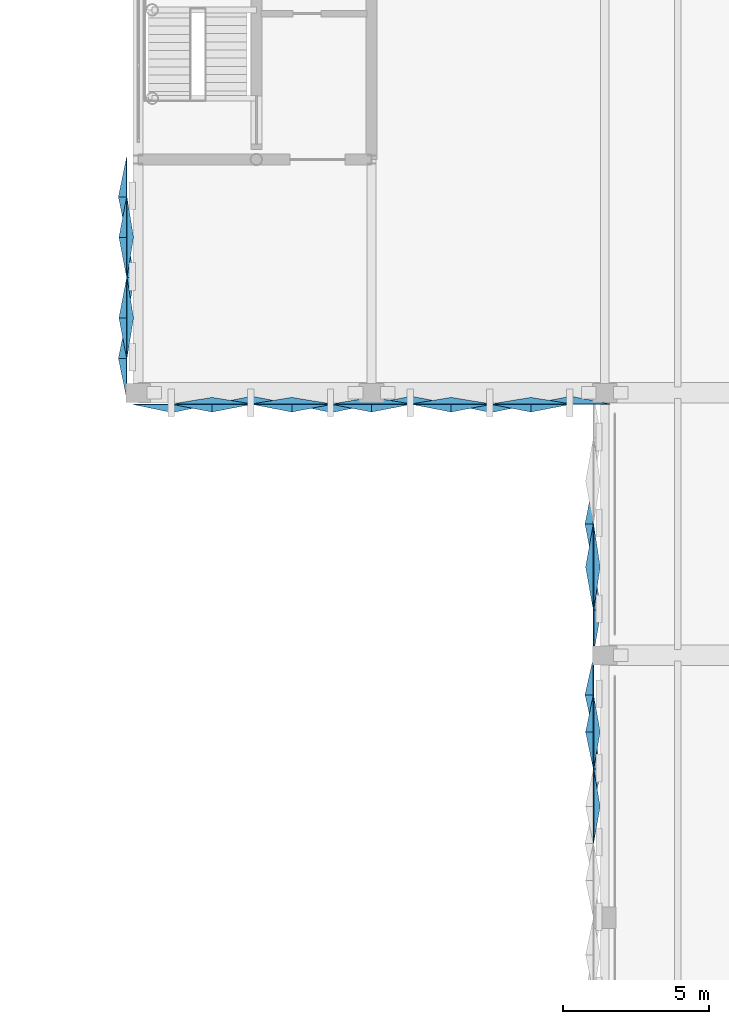
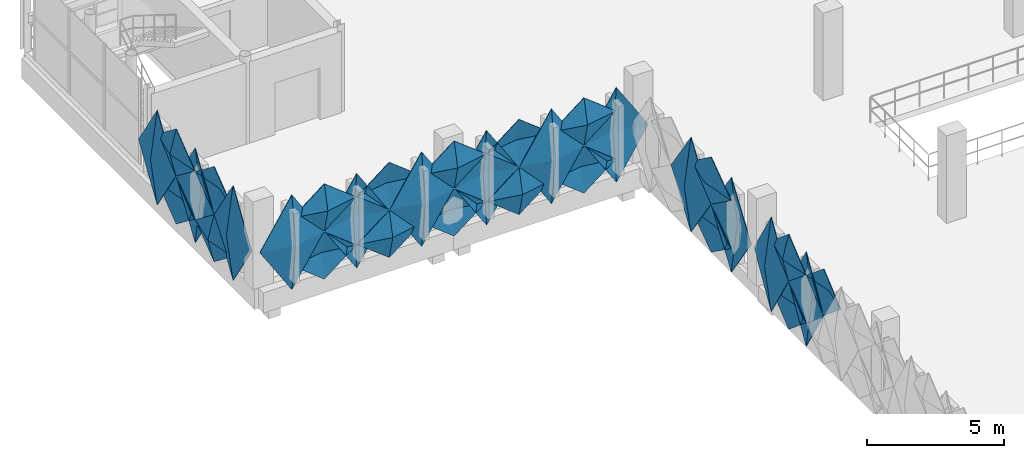
# One storey, part 55 of 83: 32 plates.
"""IFC4 building model written with IfcOpenShell, lengths in metres."""

import ifcopenshell
import ifcopenshell.guid

model = None  # the IFC model being written
_history = None  # IfcOwnerHistory: only IFC2X3 demands one
_inside = {}  # id of a spatial element -> (the spatial element, [elements in it])
_under = {}  # id of a project, library or spatial element -> (it, [spatial elements below it])
_declared = {}  # id of a project -> (the project, [libraries it declares])
_typed = {}  # id of a type object -> (the type object, [elements of that type])
_made_of = {}  # id of a material, layer set ... -> (it, [elements and type objects made of it])


def new_model(schema):
    """Start an empty IFC model of exactly this schema.

    Asked for "IFC4X3", IfcOpenShell would pick the latest addendum, in which some entities
    have other attributes; the version numbers below select the first issue.
    IFC2X3 requires an IfcOwnerHistory on every rooted entity: one is made here for all.
    """
    global model, _history
    if schema == "IFC4X3":
        model = ifcopenshell.file(schema_version=(4, 3, 0, 0))
    else:
        model = ifcopenshell.file(schema=schema)
    _inside.clear()
    _under.clear()
    _declared.clear()
    _typed.clear()
    _made_of.clear()
    _history = None
    if model.schema == "IFC2X3":
        org = make("IfcOrganization", Name="unknown")
        user = make(
            "IfcPersonAndOrganization",
            ThePerson=make("IfcPerson", FamilyName="unknown"),
            TheOrganization=org,
        )
        app = make(
            "IfcApplication",
            ApplicationDeveloper=org,
            Version="unknown",
            ApplicationFullName="unknown",
            ApplicationIdentifier="unknown",
        )
        _history = make(
            "IfcOwnerHistory",
            OwningUser=user,
            OwningApplication=app,
            ChangeAction="ADDED",
            CreationDate=0,
        )
    return model


def make(cls, **values):
    """One entity of the class cls with the attributes given. An attribute that is None is left unset."""
    return model.create_entity(
        cls, **{name: value for name, value in values.items() if value is not None}
    )


def rooted(cls, **values):
    """An entity with a GlobalId (a new one), such as an element, a storey or a relation."""
    return make(cls, GlobalId=ifcopenshell.guid.new(), OwnerHistory=_history, **values)


def si_unit(unit_type, name, prefix=None):
    """IfcSIUnit, for example si_unit("LENGTHUNIT", "METRE", prefix="MILLI")."""
    return make("IfcSIUnit", UnitType=unit_type, Prefix=prefix, Name=name)


def derived_unit(unit_type, elements):
    """IfcDerivedUnit: a product of units, each with its exponent."""
    return make(
        "IfcDerivedUnit",
        Elements=[
            make("IfcDerivedUnitElement", Unit=unit, Exponent=power)
            for unit, power in elements
        ],
        UnitType=unit_type,
    )


def assignment(units):
    """IfcUnitAssignment: the units of a project."""
    return None if units is None else make("IfcUnitAssignment", Units=units)


def point(xyz):
    """IfcCartesianPoint."""
    return None if xyz is None else make("IfcCartesianPoint", Coordinates=xyz)


def direction(xyz):
    """IfcDirection."""
    return None if xyz is None else make("IfcDirection", DirectionRatios=xyz)


def frame(location, z_axis=None, x_axis=None):
    """IfcAxis2Placement3D, a coordinate frame: its origin and axes. An axis left out is left unset."""
    return make(
        "IfcAxis2Placement3D",
        Location=point(location),
        Axis=direction(z_axis),
        RefDirection=direction(x_axis),
    )


def origin():
    """The frame at (0, 0, 0) with its axes left unset."""
    return frame((0.0, 0.0, 0.0))


def place(relative_to, where):
    """IfcLocalPlacement: puts the frame where relative to a parent placement (None: the world)."""
    return make(
        "IfcLocalPlacement", PlacementRelTo=relative_to, RelativePlacement=where
    )


def context(
    kind, dimensions, precision=None, world=None, true_north=None, identifier=None
):
    """IfcGeometricRepresentationContext, for example the 3D "Model" context."""
    return make(
        "IfcGeometricRepresentationContext",
        ContextIdentifier=identifier,
        ContextType=kind,
        CoordinateSpaceDimension=dimensions,
        Precision=precision,
        WorldCoordinateSystem=world,
        TrueNorth=true_north,
    )


def subcontext(parent, identifier, kind, view, scale=None):
    """IfcGeometricRepresentationSubContext, for example "Body" below "Model"."""
    return make(
        "IfcGeometricRepresentationSubContext",
        ContextIdentifier=identifier,
        ContextType=kind,
        ParentContext=parent,
        TargetScale=scale,
        TargetView=view,
    )


def project(units=None, contexts=None):
    """IfcProject with its units and contexts."""
    return rooted(
        "IfcProject",
        Name="project",
        RepresentationContexts=contexts,
        UnitsInContext=assignment(units),
    )


def spatial(cls, under=None, at=None, **own):
    """A site, building, storey or space (cls), placed at a placement, below another one or the project."""
    s = rooted(cls, ObjectPlacement=at, **own)
    if under is not None:
        _under.setdefault(under.id(), (under, []))[1].append(s)
    return s


def point_list(points):
    """IfcCartesianPointList2D or 3D."""
    cls = (
        "IfcCartesianPointList2D" if len(points[0]) == 2 else "IfcCartesianPointList3D"
    )
    return make(cls, CoordList=points)


def polygons(points, faces, closed=None, point_numbers=None):
    """IfcPolygonalFaceSet: a face is its outer loop, then its inner loops; points numbered from 1."""
    made = []
    for loops in faces:
        if len(loops) == 1:
            made.append(make("IfcIndexedPolygonalFace", CoordIndex=loops[0]))
        else:
            made.append(
                make(
                    "IfcIndexedPolygonalFaceWithVoids",
                    CoordIndex=loops[0],
                    InnerCoordIndices=loops[1:],
                )
            )
    return make(
        "IfcPolygonalFaceSet",
        Coordinates=point_list(points),
        Closed=closed,
        Faces=made,
        PnIndex=point_numbers,
    )


def shape(context_of_items, identifier, shape_type, items):
    """IfcShapeRepresentation: the items that make up one representation, for example the "Body"."""
    return make(
        "IfcShapeRepresentation",
        ContextOfItems=context_of_items,
        RepresentationIdentifier=identifier,
        RepresentationType=shape_type,
        Items=items,
    )


def material(Name=None, Category=None):
    """IfcMaterial."""
    return make("IfcMaterial", Name=Name, Category=Category)


def layer(
    of_material, thickness, ventilated=None, Name=None, Category=None, Priority=None
):
    """IfcMaterialLayer: one layer of a wall or slab, of a material (None: an air gap)."""
    return make(
        "IfcMaterialLayer",
        Material=of_material,
        LayerThickness=thickness,
        IsVentilated=ventilated,
        Name=Name,
        Category=Category,
        Priority=Priority,
    )


def layer_set(layers, Name=None):
    """IfcMaterialLayerSet."""
    return make("IfcMaterialLayerSet", MaterialLayers=layers, LayerSetName=Name)


def made_of(thing, what):
    """Note that an element or type object is made of a material, layer set ...; save() writes the relation."""
    if what is not None:
        _made_of.setdefault(what.id(), (what, []))[1].append(thing)
    return thing


def type_object(cls, material=None, **own):
    """A type object (cls), such as IfcWallType, which elements share."""
    return made_of(rooted(cls, **own), material)


def element(
    cls,
    number,
    at=None,
    inside=None,
    cuts=None,
    type_object=None,
    material=None,
    context=None,
    identifier="Body",
    shape_type=None,
    held_by="IfcProductDefinitionShape",
    body=None,
    shapes=None,
    **own,
):
    """One element of the class cls, such as IfcWall. Its Tag is "e" and its number.

    at: its placement. inside: the storey or other place that contains it. cuts: it is an
    opening in that element (IfcRelVoidsElement). A single representation is given by context,
    identifier, shape_type and body (its items); several are given by shapes. held_by: the class
    of the entity that holds the representations. save() writes the other relations.
    """
    e = rooted(cls, Tag="e%d" % number, ObjectPlacement=at, **own)
    if body is not None:
        shapes = [shape(context, identifier, shape_type, body)]
    if shapes is not None:
        e.Representation = make(held_by, Representations=shapes)
    if inside is not None:
        _inside.setdefault(inside.id(), (inside, []))[1].append(e)
    if cuts is not None:
        rooted(
            "IfcRelVoidsElement", RelatingBuildingElement=cuts, RelatedOpeningElement=e
        )
    if type_object is not None:
        _typed.setdefault(type_object.id(), (type_object, []))[1].append(e)
    return made_of(e, material)


def aggregate(whole, parts):
    """IfcRelAggregates: a whole, such as a stair, and the parts it consists of."""
    return rooted("IfcRelAggregates", RelatingObject=whole, RelatedObjects=parts)


def save(model, path):
    """Write the relations noted so far, then the file.

    IfcRelAggregates (storeys below a building ...), IfcRelContainedInSpatialStructure (elements
    in a storey), IfcRelDefinesByType, IfcRelAssociatesMaterial and IfcRelDeclares: one each for
    every whole, place, type object, material and project.
    """
    for whole, parts in _under.values():
        aggregate(whole, parts)
    for where, things in _inside.values():
        rooted(
            "IfcRelContainedInSpatialStructure",
            RelatedElements=things,
            RelatingStructure=where,
        )
    for kind, things in _typed.values():
        rooted("IfcRelDefinesByType", RelatedObjects=things, RelatingType=kind)
    for what, things in _made_of.values():
        rooted("IfcRelAssociatesMaterial", RelatedObjects=things, RelatingMaterial=what)
    for by, libraries in _declared.values():
        rooted("IfcRelDeclares", RelatingContext=by, RelatedDefinitions=libraries)
    model.write(path)


model = new_model("IFC4")

# Units and contexts
model_context = context("Model", 3, precision=1e-05, world=origin(), true_north=direction((0.0, 1.0)))
body_context = subcontext(model_context, "Body", "Model", "MODEL_VIEW")
ifc_project = project(units=[si_unit("LENGTHUNIT", "METRE"), si_unit("AREAUNIT", "SQUARE_METRE"), si_unit("VOLUMEUNIT", "CUBIC_METRE"), si_unit("PLANEANGLEUNIT", "RADIAN"), si_unit("MASSUNIT", "GRAM", prefix="KILO"), si_unit("THERMODYNAMICTEMPERATUREUNIT", "KELVIN"), derived_unit("THERMALTRANSMITTANCEUNIT", [(si_unit("POWERUNIT", "WATT"), 1), (si_unit("AREAUNIT", "SQUARE_METRE"), -1), (si_unit("THERMODYNAMICTEMPERATUREUNIT", "KELVIN"), -1)])], contexts=[model_context])

# Site, building, storey
site_placement = place(None, origin())
site = spatial("IfcSite", under=ifc_project, at=site_placement, CompositionType="ELEMENT")
building_placement = place(site_placement, origin())
building = spatial("IfcBuilding", under=site, at=building_placement, Name="Haiyu Intermodal Mobility Hub", CompositionType="ELEMENT")
storey_placement = place(building_placement, frame((0.0, 0.0, 13.39990234375)))
storey = spatial("IfcBuildingStorey", under=building, at=storey_placement, Name="L03", CompositionType="ELEMENT", Elevation=13.39990234375)

# Plates
ifc_material = material(Name="Anodised aluminium 6063-T6", Category="aluminium")
ifc_layer_1 = layer(ifc_material, 0.01806640625)
ifc_layer_set_1 = layer_set([ifc_layer_1], Name="Anodised aluminium 6063-T6")
plate_type_1 = type_object("IfcPlateType", Name="PLT-FC01", PredefinedType="USERDEFINED", material=ifc_layer_set_1)
plate_1_placement = place(storey_placement, origin())
element("IfcPlate", 1, at=plate_1_placement, inside=storey, type_object=plate_type_1, Name="PLT-PYR-0561", ObjectType="FACADE CASSETTE", PredefinedType="USERDEFINED", context=body_context, shape_type="Tessellation", body=[
    polygons([(37.60009765625, 119.37109375, 1.6201171875), (37.60009765625, 118.116943359375, 2.670166015625), (37.60009765625, 119.37109375, 3.72021484375), (37.60009765625, 120.6259765625, 2.670166015625), (37.340087890625, 119.37109375, 2.670166015625), (37.6220703125, 119.37109375, 1.6201171875), (37.6220703125, 118.116943359375, 2.670166015625), (37.6220703125, 119.37109375, 3.72021484375), (37.6220703125, 120.6259765625, 2.670166015625), (37.362060546875, 119.37109375, 2.670166015625)], [[[1, 2, 5]], [[2, 3, 5]], [[3, 4, 5]], [[4, 1, 5]], [[7, 6, 10]], [[8, 7, 10]], [[9, 8, 10]], [[6, 9, 10]], [[1, 6, 7, 2]], [[2, 7, 8, 3]], [[3, 8, 9, 4]], [[4, 9, 6, 1]]], closed=True),
])
plate_2_placement = place(storey_placement, origin())
element("IfcPlate", 2, at=plate_2_placement, inside=storey, type_object=plate_type_1, Name="PLT-PYR-0633", ObjectType="FACADE CASSETTE", PredefinedType="USERDEFINED", context=body_context, shape_type="Tessellation", body=[
    polygons([(37.60009765625, 126.5, -0.510009765625), (37.60009765625, 125.047119140625, 1.60009765625), (37.60009765625, 126.5, 3.710205078125), (37.60009765625, 127.952880859375, 1.60009765625), (37.320068359375, 126.5, 1.60009765625), (37.6220703125, 126.5, -0.510009765625), (37.6220703125, 125.047119140625, 1.60009765625), (37.6220703125, 126.5, 3.710205078125), (37.6220703125, 127.952880859375, 1.60009765625), (37.342041015625, 126.5, 1.60009765625)], [[[1, 2, 5]], [[2, 3, 5]], [[3, 4, 5]], [[4, 1, 5]], [[7, 6, 10]], [[8, 7, 10]], [[9, 8, 10]], [[6, 9, 10]], [[1, 6, 7, 2]], [[2, 7, 8, 3]], [[3, 8, 9, 4]], [[4, 9, 6, 1]]], closed=True),
])
plate_3_placement = place(storey_placement, origin())
element("IfcPlate", 3, at=plate_3_placement, inside=storey, type_object=plate_type_1, Name="PLT-PYR-0635", ObjectType="FACADE CASSETTE", PredefinedType="USERDEFINED", context=body_context, shape_type="Tessellation", body=[
    polygons([(37.60009765625, 125.027099609375, 1.6201171875), (37.60009765625, 123.572998046875, 2.670166015625), (37.60009765625, 125.027099609375, 3.72021484375), (37.60009765625, 126.47998046875, 2.670166015625), (37.340087890625, 125.027099609375, 2.670166015625), (37.6220703125, 125.027099609375, 1.6201171875), (37.6220703125, 123.572998046875, 2.670166015625), (37.6220703125, 125.027099609375, 3.72021484375), (37.6220703125, 126.47998046875, 2.670166015625), (37.362060546875, 125.027099609375, 2.670166015625)], [[[1, 2, 5]], [[2, 3, 5]], [[3, 4, 5]], [[4, 1, 5]], [[7, 6, 10]], [[8, 7, 10]], [[9, 8, 10]], [[6, 9, 10]], [[1, 6, 7, 2]], [[2, 7, 8, 3]], [[3, 8, 9, 4]], [[4, 9, 6, 1]]], closed=True),
])
plate_4_placement = place(storey_placement, origin())
element("IfcPlate", 4, at=plate_4_placement, inside=storey, type_object=plate_type_1, Name="PLT-PYR-2304", ObjectType="FACADE CASSETTE", PredefinedType="USERDEFINED", context=body_context, shape_type="Tessellation", body=[
    polygons([(21.60009765625, 136.3330078125, 1.6201171875), (21.60009765625, 134.969970703125, 2.670166015625), (21.60009765625, 136.3330078125, 3.72021484375), (21.60009765625, 137.697021484375, 2.670166015625), (21.340087890625, 136.3330078125, 2.670166015625), (21.6220703125, 136.3330078125, 1.6201171875), (21.6220703125, 134.969970703125, 2.670166015625), (21.6220703125, 136.3330078125, 3.72021484375), (21.6220703125, 137.697021484375, 2.670166015625), (21.362060546875, 136.3330078125, 2.670166015625)], [[[1, 2, 5]], [[2, 3, 5]], [[3, 4, 5]], [[4, 1, 5]], [[7, 6, 10]], [[8, 7, 10]], [[9, 8, 10]], [[6, 9, 10]], [[1, 6, 7, 2]], [[2, 7, 8, 3]], [[3, 8, 9, 4]], [[4, 9, 6, 1]]], closed=True),
])
plate_5_placement = place(storey_placement, origin())
element("IfcPlate", 5, at=plate_5_placement, inside=storey, type_object=plate_type_1, Name="PLT-PYR-2357", ObjectType="FACADE CASSETTE", PredefinedType="USERDEFINED", context=body_context, shape_type="Tessellation", body=[
    polygons([(24.532958984375, 130.60009765625, 1.6201171875), (25.8798828125, 130.60009765625, 2.670166015625), (24.532958984375, 130.60009765625, 3.72021484375), (23.18701171875, 130.60009765625, 2.670166015625), (24.532958984375, 130.340087890625, 2.670166015625), (24.532958984375, 130.6220703125, 1.6201171875), (25.8798828125, 130.6220703125, 2.670166015625), (24.532958984375, 130.6220703125, 3.72021484375), (23.18701171875, 130.6220703125, 2.670166015625), (24.532958984375, 130.362060546875, 2.670166015625)], [[[1, 2, 5]], [[2, 3, 5]], [[3, 4, 5]], [[4, 1, 5]], [[7, 6, 10]], [[8, 7, 10]], [[9, 8, 10]], [[6, 9, 10]], [[1, 6, 7, 2]], [[2, 7, 8, 3]], [[3, 8, 9, 4]], [[4, 9, 6, 1]]], closed=True),
])
plate_6_placement = place(storey_placement, origin())
element("IfcPlate", 6, at=plate_6_placement, inside=storey, type_object=plate_type_1, Name="PLT-PYR-2363", ObjectType="FACADE CASSETTE", PredefinedType="USERDEFINED", context=body_context, shape_type="Tessellation", body=[
    polygons([(30.0, 130.60009765625, 1.6201171875), (31.346923828125, 130.60009765625, 2.670166015625), (30.0, 130.60009765625, 3.72021484375), (28.653076171875, 130.60009765625, 2.670166015625), (30.0, 130.340087890625, 2.670166015625), (30.0, 130.6220703125, 1.6201171875), (31.346923828125, 130.6220703125, 2.670166015625), (30.0, 130.6220703125, 3.72021484375), (28.653076171875, 130.6220703125, 2.670166015625), (30.0, 130.362060546875, 2.670166015625)], [[[1, 2, 5]], [[2, 3, 5]], [[3, 4, 5]], [[4, 1, 5]], [[7, 6, 10]], [[8, 7, 10]], [[9, 8, 10]], [[6, 9, 10]], [[1, 6, 7, 2]], [[2, 7, 8, 3]], [[3, 8, 9, 4]], [[4, 9, 6, 1]]], closed=True),
])
plate_7_placement = place(storey_placement, origin())
element("IfcPlate", 7, at=plate_7_placement, inside=storey, type_object=plate_type_1, Name="PLT-PYR-2369", ObjectType="FACADE CASSETTE", PredefinedType="USERDEFINED", context=body_context, shape_type="Tessellation", body=[
    polygons([(35.467041015625, 130.60009765625, 1.6201171875), (36.81298828125, 130.60009765625, 2.670166015625), (35.467041015625, 130.60009765625, 3.72021484375), (34.1201171875, 130.60009765625, 2.670166015625), (35.467041015625, 130.340087890625, 2.670166015625), (35.467041015625, 130.6220703125, 1.6201171875), (36.81298828125, 130.6220703125, 2.670166015625), (35.467041015625, 130.6220703125, 3.72021484375), (34.1201171875, 130.6220703125, 2.670166015625), (35.467041015625, 130.362060546875, 2.670166015625)], [[[1, 2, 5]], [[2, 3, 5]], [[3, 4, 5]], [[4, 1, 5]], [[7, 6, 10]], [[8, 7, 10]], [[9, 8, 10]], [[6, 9, 10]], [[1, 6, 7, 2]], [[2, 7, 8, 3]], [[3, 8, 9, 4]], [[4, 9, 6, 1]]], closed=True),
])
ifc_layer_2 = layer(ifc_material, 0.02001953125)
ifc_layer_set_2 = layer_set([ifc_layer_2], Name="Anodised aluminium 6063-T6")
plate_type_2 = type_object("IfcPlateType", Name="PLT-FC02", PredefinedType="USERDEFINED", material=ifc_layer_set_2)
plate_8_placement = place(storey_placement, origin())
element("IfcPlate", 8, at=plate_8_placement, inside=storey, type_object=plate_type_2, Name="PLT-PYR-0562", ObjectType="FACADE CASSETTE", PredefinedType="USERDEFINED", context=body_context, shape_type="Tessellation", body=[
    polygons([(37.60009765625, 118.096923828125, -0.510009765625), (37.60009765625, 116.843017578125, 1.60009765625), (37.60009765625, 118.096923828125, 3.710205078125), (37.60009765625, 119.35107421875, 1.60009765625), (37.860107421875, 118.096923828125, 1.60009765625), (37.6220703125, 118.096923828125, -0.510009765625), (37.6220703125, 116.843017578125, 1.60009765625), (37.6220703125, 118.096923828125, 3.710205078125), (37.6220703125, 119.35107421875, 1.60009765625), (37.882080078125, 118.096923828125, 1.60009765625)], [[[1, 2, 5]], [[2, 3, 5]], [[3, 4, 5]], [[4, 1, 5]], [[7, 6, 10]], [[8, 7, 10]], [[9, 8, 10]], [[6, 9, 10]], [[1, 6, 7, 2]], [[2, 7, 8, 3]], [[3, 8, 9, 4]], [[4, 9, 6, 1]]], closed=True),
])
plate_9_placement = place(storey_placement, origin())
element("IfcPlate", 9, at=plate_9_placement, inside=storey, type_object=plate_type_2, Name="PLT-PYR-0564", ObjectType="FACADE CASSETTE", PredefinedType="USERDEFINED", context=body_context, shape_type="Tessellation", body=[
    polygons([(37.60009765625, 116.822998046875, 1.6201171875), (37.60009765625, 115.569091796875, 2.670166015625), (37.60009765625, 116.822998046875, 3.72021484375), (37.60009765625, 118.076904296875, 2.670166015625), (37.820068359375, 116.822998046875, 2.670166015625), (37.6220703125, 116.822998046875, 1.6201171875), (37.6220703125, 115.569091796875, 2.670166015625), (37.6220703125, 116.822998046875, 3.72021484375), (37.6220703125, 118.076904296875, 2.670166015625), (37.842041015625, 116.822998046875, 2.670166015625)], [[[1, 2, 5]], [[2, 3, 5]], [[3, 4, 5]], [[4, 1, 5]], [[7, 6, 10]], [[8, 7, 10]], [[9, 8, 10]], [[6, 9, 10]], [[1, 6, 7, 2]], [[2, 7, 8, 3]], [[3, 8, 9, 4]], [[4, 9, 6, 1]]], closed=True),
])
plate_10_placement = place(storey_placement, origin())
element("IfcPlate", 10, at=plate_10_placement, inside=storey, type_object=plate_type_2, Name="PLT-PYR-2305", ObjectType="FACADE CASSETTE", PredefinedType="USERDEFINED", context=body_context, shape_type="Tessellation", body=[
    polygons([(21.60009765625, 134.949951171875, -0.510009765625), (21.60009765625, 133.5869140625, 1.60009765625), (21.60009765625, 134.949951171875, 3.710205078125), (21.60009765625, 136.31298828125, 1.60009765625), (21.860107421875, 134.949951171875, 1.60009765625), (21.6220703125, 134.949951171875, -0.510009765625), (21.6220703125, 133.5869140625, 1.60009765625), (21.6220703125, 134.949951171875, 3.710205078125), (21.6220703125, 136.31298828125, 1.60009765625), (21.882080078125, 134.949951171875, 1.60009765625)], [[[1, 2, 5]], [[2, 3, 5]], [[3, 4, 5]], [[4, 1, 5]], [[7, 6, 10]], [[8, 7, 10]], [[9, 8, 10]], [[6, 9, 10]], [[1, 6, 7, 2]], [[2, 7, 8, 3]], [[3, 8, 9, 4]], [[4, 9, 6, 1]]], closed=True),
])
plate_11_placement = place(storey_placement, origin())
element("IfcPlate", 11, at=plate_11_placement, inside=storey, type_object=plate_type_2, Name="PLT-PYR-2307", ObjectType="FACADE CASSETTE", PredefinedType="USERDEFINED", context=body_context, shape_type="Tessellation", body=[
    polygons([(21.60009765625, 133.56689453125, 1.6201171875), (21.60009765625, 132.202880859375, 2.670166015625), (21.60009765625, 133.56689453125, 3.72021484375), (21.60009765625, 134.929931640625, 2.670166015625), (21.820068359375, 133.56689453125, 2.670166015625), (21.6220703125, 133.56689453125, 1.6201171875), (21.6220703125, 132.202880859375, 2.670166015625), (21.6220703125, 133.56689453125, 3.72021484375), (21.6220703125, 134.929931640625, 2.670166015625), (21.842041015625, 133.56689453125, 2.670166015625)], [[[1, 2, 5]], [[2, 3, 5]], [[3, 4, 5]], [[4, 1, 5]], [[7, 6, 10]], [[8, 7, 10]], [[9, 8, 10]], [[6, 9, 10]], [[1, 6, 7, 2]], [[2, 7, 8, 3]], [[3, 8, 9, 4]], [[4, 9, 6, 1]]], closed=True),
])
plate_12_placement = place(storey_placement, origin())
element("IfcPlate", 12, at=plate_12_placement, inside=storey, type_object=plate_type_2, Name="PLT-PYR-2358", ObjectType="FACADE CASSETTE", PredefinedType="USERDEFINED", context=body_context, shape_type="Tessellation", body=[
    polygons([(25.89990234375, 130.60009765625, -0.510009765625), (27.2470703125, 130.60009765625, 1.60009765625), (25.89990234375, 130.60009765625, 3.710205078125), (24.552978515625, 130.60009765625, 1.60009765625), (25.89990234375, 130.860107421875, 1.60009765625), (25.89990234375, 130.6220703125, -0.510009765625), (27.2470703125, 130.6220703125, 1.60009765625), (25.89990234375, 130.6220703125, 3.710205078125), (24.552978515625, 130.6220703125, 1.60009765625), (25.89990234375, 130.882080078125, 1.60009765625)], [[[1, 2, 5]], [[2, 3, 5]], [[3, 4, 5]], [[4, 1, 5]], [[7, 6, 10]], [[8, 7, 10]], [[9, 8, 10]], [[6, 9, 10]], [[1, 6, 7, 2]], [[2, 7, 8, 3]], [[3, 8, 9, 4]], [[4, 9, 6, 1]]], closed=True),
])
plate_13_placement = place(storey_placement, origin())
element("IfcPlate", 13, at=plate_13_placement, inside=storey, type_object=plate_type_2, Name="PLT-PYR-2360", ObjectType="FACADE CASSETTE", PredefinedType="USERDEFINED", context=body_context, shape_type="Tessellation", body=[
    polygons([(27.26708984375, 130.60009765625, 1.6201171875), (28.613037109375, 130.60009765625, 2.670166015625), (27.26708984375, 130.60009765625, 3.72021484375), (25.919921875, 130.60009765625, 2.670166015625), (27.26708984375, 130.820068359375, 2.670166015625), (27.26708984375, 130.6220703125, 1.6201171875), (28.613037109375, 130.6220703125, 2.670166015625), (27.26708984375, 130.6220703125, 3.72021484375), (25.919921875, 130.6220703125, 2.670166015625), (27.26708984375, 130.842041015625, 2.670166015625)], [[[1, 2, 5]], [[2, 3, 5]], [[3, 4, 5]], [[4, 1, 5]], [[7, 6, 10]], [[8, 7, 10]], [[9, 8, 10]], [[6, 9, 10]], [[1, 6, 7, 2]], [[2, 7, 8, 3]], [[3, 8, 9, 4]], [[4, 9, 6, 1]]], closed=True),
])
plate_14_placement = place(storey_placement, origin())
element("IfcPlate", 14, at=plate_14_placement, inside=storey, type_object=plate_type_2, Name="PLT-PYR-2366", ObjectType="FACADE CASSETTE", PredefinedType="USERDEFINED", context=body_context, shape_type="Tessellation", body=[
    polygons([(32.73291015625, 130.60009765625, 1.6201171875), (34.080078125, 130.60009765625, 2.670166015625), (32.73291015625, 130.60009765625, 3.72021484375), (31.386962890625, 130.60009765625, 2.670166015625), (32.73291015625, 130.820068359375, 2.670166015625), (32.73291015625, 130.6220703125, 1.6201171875), (34.080078125, 130.6220703125, 2.670166015625), (32.73291015625, 130.6220703125, 3.72021484375), (31.386962890625, 130.6220703125, 2.670166015625), (32.73291015625, 130.842041015625, 2.670166015625)], [[[1, 2, 5]], [[2, 3, 5]], [[3, 4, 5]], [[4, 1, 5]], [[7, 6, 10]], [[8, 7, 10]], [[9, 8, 10]], [[6, 9, 10]], [[1, 6, 7, 2]], [[2, 7, 8, 3]], [[3, 8, 9, 4]], [[4, 9, 6, 1]]], closed=True),
])
plate_15_placement = place(storey_placement, origin())
element("IfcPlate", 15, at=plate_15_placement, inside=storey, type_object=plate_type_2, Name="PLT-PYR-2370", ObjectType="FACADE CASSETTE", PredefinedType="USERDEFINED", context=body_context, shape_type="Tessellation", body=[
    polygons([(36.8330078125, 130.60009765625, -0.510009765625), (38.179931640625, 130.60009765625, 1.60009765625), (36.8330078125, 130.60009765625, 3.710205078125), (35.487060546875, 130.60009765625, 1.60009765625), (36.8330078125, 130.860107421875, 1.60009765625), (36.8330078125, 130.6220703125, -0.510009765625), (38.179931640625, 130.6220703125, 1.60009765625), (36.8330078125, 130.6220703125, 3.710205078125), (35.487060546875, 130.6220703125, 1.60009765625), (36.8330078125, 130.882080078125, 1.60009765625)], [[[1, 2, 5]], [[2, 3, 5]], [[3, 4, 5]], [[4, 1, 5]], [[7, 6, 10]], [[8, 7, 10]], [[9, 8, 10]], [[6, 9, 10]], [[1, 6, 7, 2]], [[2, 7, 8, 3]], [[3, 8, 9, 4]], [[4, 9, 6, 1]]], closed=True),
])
ifc_layer_3 = layer(ifc_material, 0.01806640625)
ifc_layer_set_3 = layer_set([ifc_layer_3], Name="Anodised aluminium 6063-T6")
plate_type_3 = type_object("IfcPlateType", Name="PLT-FC03", PredefinedType="USERDEFINED", material=ifc_layer_set_3)
plate_16_placement = place(storey_placement, origin())
element("IfcPlate", 16, at=plate_16_placement, inside=storey, type_object=plate_type_3, Name="PLT-PYR-2308", ObjectType="FACADE CASSETTE", PredefinedType="USERDEFINED", context=body_context, shape_type="Tessellation", body=[
    polygons([(21.60009765625, 132.18310546875, -0.510009765625), (21.60009765625, 130.820068359375, 1.60009765625), (21.60009765625, 132.18310546875, 3.710205078125), (21.60009765625, 133.547119140625, 1.60009765625), (21.320068359375, 132.18310546875, 1.60009765625), (21.6220703125, 132.18310546875, -0.510009765625), (21.6220703125, 130.820068359375, 1.60009765625), (21.6220703125, 132.18310546875, 3.710205078125), (21.6220703125, 133.547119140625, 1.60009765625), (21.342041015625, 132.18310546875, 1.60009765625)], [[[1, 2, 5]], [[2, 3, 5]], [[3, 4, 5]], [[4, 1, 5]], [[7, 6, 10]], [[8, 7, 10]], [[9, 8, 10]], [[6, 9, 10]], [[1, 6, 7, 2]], [[2, 7, 8, 3]], [[3, 8, 9, 4]], [[4, 9, 6, 1]]], closed=True),
])
plate_17_placement = place(storey_placement, origin())
element("IfcPlate", 17, at=plate_17_placement, inside=storey, type_object=plate_type_3, Name="PLT-PYR-2361", ObjectType="FACADE CASSETTE", PredefinedType="USERDEFINED", context=body_context, shape_type="Tessellation", body=[
    polygons([(28.633056640625, 130.60009765625, -0.510009765625), (29.97998046875, 130.60009765625, 1.60009765625), (28.633056640625, 130.60009765625, 3.710205078125), (27.287109375, 130.60009765625, 1.60009765625), (28.633056640625, 130.320068359375, 1.60009765625), (28.633056640625, 130.6220703125, -0.510009765625), (29.97998046875, 130.6220703125, 1.60009765625), (28.633056640625, 130.6220703125, 3.710205078125), (27.287109375, 130.6220703125, 1.60009765625), (28.633056640625, 130.342041015625, 1.60009765625)], [[[1, 2, 5]], [[2, 3, 5]], [[3, 4, 5]], [[4, 1, 5]], [[7, 6, 10]], [[8, 7, 10]], [[9, 8, 10]], [[6, 9, 10]], [[1, 6, 7, 2]], [[2, 7, 8, 3]], [[3, 8, 9, 4]], [[4, 9, 6, 1]]], closed=True),
])
ifc_layer_4 = layer(ifc_material, 0.02001953125)
ifc_layer_set_4 = layer_set([ifc_layer_4], Name="Anodised aluminium 6063-T6")
plate_type_4 = type_object("IfcPlateType", Name="PLT-FC04", PredefinedType="USERDEFINED", material=ifc_layer_set_4)
plate_18_placement = place(storey_placement, origin())
element("IfcPlate", 18, at=plate_18_placement, inside=storey, type_object=plate_type_4, Name="PLT-PYR-0636", ObjectType="FACADE CASSETTE", PredefinedType="USERDEFINED", context=body_context, shape_type="Tessellation", body=[
    polygons([(37.60009765625, 123.552978515625, -0.510009765625), (37.60009765625, 122.10009765625, 1.60009765625), (37.60009765625, 123.552978515625, 3.710205078125), (37.60009765625, 125.007080078125, 1.60009765625), (37.860107421875, 123.552978515625, 1.60009765625), (37.6220703125, 123.552978515625, -0.510009765625), (37.6220703125, 122.10009765625, 1.60009765625), (37.6220703125, 123.552978515625, 3.710205078125), (37.6220703125, 125.007080078125, 1.60009765625), (37.882080078125, 123.552978515625, 1.60009765625)], [[[1, 2, 5]], [[2, 3, 5]], [[3, 4, 5]], [[4, 1, 5]], [[7, 6, 10]], [[8, 7, 10]], [[9, 8, 10]], [[6, 9, 10]], [[1, 6, 7, 2]], [[2, 7, 8, 3]], [[3, 8, 9, 4]], [[4, 9, 6, 1]]], closed=True),
])
ifc_layer_5 = layer(ifc_material, 0.02001953125)
ifc_layer_set_5 = layer_set([ifc_layer_5], Name="Anodised aluminium 6063-T6")
plate_type_5 = type_object("IfcPlateType", Name="PLT-FC06", PredefinedType="USERDEFINED", material=ifc_layer_set_5)
plate_19_placement = place(storey_placement, origin())
element("IfcPlate", 19, at=plate_19_placement, inside=storey, type_object=plate_type_5, Name="PLT-PYR-2364", ObjectType="FACADE CASSETTE", PredefinedType="USERDEFINED", context=body_context, shape_type="Tessellation", body=[
    polygons([(31.366943359375, 130.60009765625, -0.510009765625), (32.712890625, 130.60009765625, 1.60009765625), (31.366943359375, 130.60009765625, 3.710205078125), (30.02001953125, 130.60009765625, 1.60009765625), (31.366943359375, 130.860107421875, 1.60009765625), (31.366943359375, 130.6220703125, -0.510009765625), (32.712890625, 130.6220703125, 1.60009765625), (31.366943359375, 130.6220703125, 3.710205078125), (30.02001953125, 130.6220703125, 1.60009765625), (31.366943359375, 130.882080078125, 1.60009765625)], [[[1, 2, 5]], [[2, 3, 5]], [[3, 4, 5]], [[4, 1, 5]], [[7, 6, 10]], [[8, 7, 10]], [[9, 8, 10]], [[6, 9, 10]], [[1, 6, 7, 2]], [[2, 7, 8, 3]], [[3, 8, 9, 4]], [[4, 9, 6, 1]]], closed=True),
])
ifc_layer_6 = layer(ifc_material, 0.02197265625)
ifc_layer_set_6 = layer_set([ifc_layer_6], Name="Anodised aluminium 6063-T6")
plate_type_6 = type_object("IfcPlateType", Name="PLT-FC07", PredefinedType="USERDEFINED", material=ifc_layer_set_6)
plate_20_placement = place(storey_placement, origin())
element("IfcPlate", 20, at=plate_20_placement, inside=storey, type_object=plate_type_6, Name="PLT-PYR-0559", ObjectType="FACADE CASSETTE", PredefinedType="USERDEFINED", context=body_context, shape_type="Tessellation", body=[
    polygons([(37.60009765625, 120.64599609375, -0.510009765625), (37.60009765625, 119.39111328125, 1.60009765625), (37.60009765625, 120.64599609375, 3.710205078125), (37.60009765625, 121.89990234375, 1.60009765625), (37.320068359375, 120.64599609375, 1.60009765625), (37.6220703125, 120.64599609375, -0.510009765625), (37.6220703125, 119.39111328125, 1.60009765625), (37.6220703125, 120.64599609375, 3.710205078125), (37.6220703125, 121.89990234375, 1.60009765625), (37.342041015625, 120.64599609375, 1.60009765625)], [[[1, 2, 5]], [[2, 3, 5]], [[3, 4, 5]], [[4, 1, 5]], [[7, 6, 10]], [[8, 7, 10]], [[9, 8, 10]], [[6, 9, 10]], [[1, 6, 7, 2]], [[2, 7, 8, 3]], [[3, 8, 9, 4]], [[4, 9, 6, 1]]], closed=True),
])
plate_21_placement = place(storey_placement, origin())
element("IfcPlate", 21, at=plate_21_placement, inside=storey, type_object=plate_type_6, Name="PLT-PYR-2302", ObjectType="FACADE CASSETTE", PredefinedType="USERDEFINED", context=body_context, shape_type="Tessellation", body=[
    polygons([(21.60009765625, 137.717041015625, -0.510009765625), (21.60009765625, 136.35302734375, 1.60009765625), (21.60009765625, 137.717041015625, 3.710205078125), (21.60009765625, 139.080078125, 1.60009765625), (21.320068359375, 137.717041015625, 1.60009765625), (21.6220703125, 137.717041015625, -0.510009765625), (21.6220703125, 136.35302734375, 1.60009765625), (21.6220703125, 137.717041015625, 3.710205078125), (21.6220703125, 139.080078125, 1.60009765625), (21.342041015625, 137.717041015625, 1.60009765625)], [[[1, 2, 5]], [[2, 3, 5]], [[3, 4, 5]], [[4, 1, 5]], [[7, 6, 10]], [[8, 7, 10]], [[9, 8, 10]], [[6, 9, 10]], [[1, 6, 7, 2]], [[2, 7, 8, 3]], [[3, 8, 9, 4]], [[4, 9, 6, 1]]], closed=True),
])
plate_22_placement = place(storey_placement, origin())
element("IfcPlate", 22, at=plate_22_placement, inside=storey, type_object=plate_type_6, Name="PLT-PYR-2306", ObjectType="FACADE CASSETTE", PredefinedType="USERDEFINED", context=body_context, shape_type="Tessellation", body=[
    polygons([(21.60009765625, 133.56689453125, -0.52001953125), (21.60009765625, 132.202880859375, 0.530029296875), (21.60009765625, 133.56689453125, 1.580078125), (21.60009765625, 134.929931640625, 0.530029296875), (21.340087890625, 133.56689453125, 0.530029296875), (21.6220703125, 133.56689453125, -0.52001953125), (21.6220703125, 132.202880859375, 0.530029296875), (21.6220703125, 133.56689453125, 1.580078125), (21.6220703125, 134.929931640625, 0.530029296875), (21.362060546875, 133.56689453125, 0.530029296875)], [[[1, 2, 5]], [[2, 3, 5]], [[3, 4, 5]], [[4, 1, 5]], [[7, 6, 10]], [[8, 7, 10]], [[9, 8, 10]], [[6, 9, 10]], [[1, 6, 7, 2]], [[2, 7, 8, 3]], [[3, 8, 9, 4]], [[4, 9, 6, 1]]], closed=True),
])
plate_23_placement = place(storey_placement, origin())
element("IfcPlate", 23, at=plate_23_placement, inside=storey, type_object=plate_type_6, Name="PLT-PYR-2355", ObjectType="FACADE CASSETTE", PredefinedType="USERDEFINED", context=body_context, shape_type="Tessellation", body=[
    polygons([(23.1669921875, 130.60009765625, -0.510009765625), (24.512939453125, 130.60009765625, 1.60009765625), (23.1669921875, 130.60009765625, 3.710205078125), (21.820068359375, 130.60009765625, 1.60009765625), (23.1669921875, 130.320068359375, 1.60009765625), (23.1669921875, 130.6220703125, -0.510009765625), (24.512939453125, 130.6220703125, 1.60009765625), (23.1669921875, 130.6220703125, 3.710205078125), (21.820068359375, 130.6220703125, 1.60009765625), (23.1669921875, 130.342041015625, 1.60009765625)], [[[1, 2, 5]], [[2, 3, 5]], [[3, 4, 5]], [[4, 1, 5]], [[7, 6, 10]], [[8, 7, 10]], [[9, 8, 10]], [[6, 9, 10]], [[1, 6, 7, 2]], [[2, 7, 8, 3]], [[3, 8, 9, 4]], [[4, 9, 6, 1]]], closed=True),
])
plate_24_placement = place(storey_placement, origin())
element("IfcPlate", 24, at=plate_24_placement, inside=storey, type_object=plate_type_6, Name="PLT-PYR-2359", ObjectType="FACADE CASSETTE", PredefinedType="USERDEFINED", context=body_context, shape_type="Tessellation", body=[
    polygons([(27.26708984375, 130.60009765625, -0.52001953125), (28.613037109375, 130.60009765625, 0.530029296875), (27.26708984375, 130.60009765625, 1.580078125), (25.919921875, 130.60009765625, 0.530029296875), (27.26708984375, 130.340087890625, 0.530029296875), (27.26708984375, 130.6220703125, -0.52001953125), (28.613037109375, 130.6220703125, 0.530029296875), (27.26708984375, 130.6220703125, 1.580078125), (25.919921875, 130.6220703125, 0.530029296875), (27.26708984375, 130.362060546875, 0.530029296875)], [[[1, 2, 5]], [[2, 3, 5]], [[3, 4, 5]], [[4, 1, 5]], [[7, 6, 10]], [[8, 7, 10]], [[9, 8, 10]], [[6, 9, 10]], [[1, 6, 7, 2]], [[2, 7, 8, 3]], [[3, 8, 9, 4]], [[4, 9, 6, 1]]], closed=True),
])
plate_25_placement = place(storey_placement, origin())
element("IfcPlate", 25, at=plate_25_placement, inside=storey, type_object=plate_type_6, Name="PLT-PYR-2365", ObjectType="FACADE CASSETTE", PredefinedType="USERDEFINED", context=body_context, shape_type="Tessellation", body=[
    polygons([(32.73291015625, 130.60009765625, -0.52001953125), (34.080078125, 130.60009765625, 0.530029296875), (32.73291015625, 130.60009765625, 1.580078125), (31.386962890625, 130.60009765625, 0.530029296875), (32.73291015625, 130.340087890625, 0.530029296875), (32.73291015625, 130.6220703125, -0.52001953125), (34.080078125, 130.6220703125, 0.530029296875), (32.73291015625, 130.6220703125, 1.580078125), (31.386962890625, 130.6220703125, 0.530029296875), (32.73291015625, 130.362060546875, 0.530029296875)], [[[1, 2, 5]], [[2, 3, 5]], [[3, 4, 5]], [[4, 1, 5]], [[7, 6, 10]], [[8, 7, 10]], [[9, 8, 10]], [[6, 9, 10]], [[1, 6, 7, 2]], [[2, 7, 8, 3]], [[3, 8, 9, 4]], [[4, 9, 6, 1]]], closed=True),
])
plate_26_placement = place(storey_placement, origin())
element("IfcPlate", 26, at=plate_26_placement, inside=storey, type_object=plate_type_6, Name="PLT-PYR-2367", ObjectType="FACADE CASSETTE", PredefinedType="USERDEFINED", context=body_context, shape_type="Tessellation", body=[
    polygons([(34.10009765625, 130.60009765625, -0.510009765625), (35.447021484375, 130.60009765625, 1.60009765625), (34.10009765625, 130.60009765625, 3.710205078125), (32.7529296875, 130.60009765625, 1.60009765625), (34.10009765625, 130.320068359375, 1.60009765625), (34.10009765625, 130.6220703125, -0.510009765625), (35.447021484375, 130.6220703125, 1.60009765625), (34.10009765625, 130.6220703125, 3.710205078125), (32.7529296875, 130.6220703125, 1.60009765625), (34.10009765625, 130.342041015625, 1.60009765625)], [[[1, 2, 5]], [[2, 3, 5]], [[3, 4, 5]], [[4, 1, 5]], [[7, 6, 10]], [[8, 7, 10]], [[9, 8, 10]], [[6, 9, 10]], [[1, 6, 7, 2]], [[2, 7, 8, 3]], [[3, 8, 9, 4]], [[4, 9, 6, 1]]], closed=True),
])
ifc_layer_7 = layer(ifc_material, 0.02392578125)
ifc_layer_set_7 = layer_set([ifc_layer_7], Name="Anodised aluminium 6063-T6")
plate_type_7 = type_object("IfcPlateType", Name="PLT-FC08", PredefinedType="USERDEFINED", material=ifc_layer_set_7)
plate_27_placement = place(storey_placement, origin())
element("IfcPlate", 27, at=plate_27_placement, inside=storey, type_object=plate_type_7, Name="PLT-PYR-0560", ObjectType="FACADE CASSETTE", PredefinedType="USERDEFINED", context=body_context, shape_type="Tessellation", body=[
    polygons([(37.60009765625, 119.37109375, -0.52001953125), (37.60009765625, 118.116943359375, 0.530029296875), (37.60009765625, 119.37109375, 1.580078125), (37.60009765625, 120.6259765625, 0.530029296875), (37.820068359375, 119.37109375, 0.530029296875), (37.6220703125, 119.37109375, -0.52001953125), (37.6220703125, 118.116943359375, 0.530029296875), (37.6220703125, 119.37109375, 1.580078125), (37.6220703125, 120.6259765625, 0.530029296875), (37.842041015625, 119.37109375, 0.530029296875)], [[[1, 2, 5]], [[2, 3, 5]], [[3, 4, 5]], [[4, 1, 5]], [[7, 6, 10]], [[8, 7, 10]], [[9, 8, 10]], [[6, 9, 10]], [[1, 6, 7, 2]], [[2, 7, 8, 3]], [[3, 8, 9, 4]], [[4, 9, 6, 1]]], closed=True),
])
plate_28_placement = place(storey_placement, origin())
element("IfcPlate", 28, at=plate_28_placement, inside=storey, type_object=plate_type_7, Name="PLT-PYR-0634", ObjectType="FACADE CASSETTE", PredefinedType="USERDEFINED", context=body_context, shape_type="Tessellation", body=[
    polygons([(37.60009765625, 125.027099609375, -0.52001953125), (37.60009765625, 123.572998046875, 0.530029296875), (37.60009765625, 125.027099609375, 1.580078125), (37.60009765625, 126.47998046875, 0.530029296875), (37.820068359375, 125.027099609375, 0.530029296875), (37.6220703125, 125.027099609375, -0.52001953125), (37.6220703125, 123.572998046875, 0.530029296875), (37.6220703125, 125.027099609375, 1.580078125), (37.6220703125, 126.47998046875, 0.530029296875), (37.842041015625, 125.027099609375, 0.530029296875)], [[[1, 2, 5]], [[2, 3, 5]], [[3, 4, 5]], [[4, 1, 5]], [[7, 6, 10]], [[8, 7, 10]], [[9, 8, 10]], [[6, 9, 10]], [[1, 6, 7, 2]], [[2, 7, 8, 3]], [[3, 8, 9, 4]], [[4, 9, 6, 1]]], closed=True),
])
plate_29_placement = place(storey_placement, origin())
element("IfcPlate", 29, at=plate_29_placement, inside=storey, type_object=plate_type_7, Name="PLT-PYR-2303", ObjectType="FACADE CASSETTE", PredefinedType="USERDEFINED", context=body_context, shape_type="Tessellation", body=[
    polygons([(21.60009765625, 136.3330078125, -0.52001953125), (21.60009765625, 134.969970703125, 0.530029296875), (21.60009765625, 136.3330078125, 1.580078125), (21.60009765625, 137.697021484375, 0.530029296875), (21.820068359375, 136.3330078125, 0.530029296875), (21.6220703125, 136.3330078125, -0.52001953125), (21.6220703125, 134.969970703125, 0.530029296875), (21.6220703125, 136.3330078125, 1.580078125), (21.6220703125, 137.697021484375, 0.530029296875), (21.842041015625, 136.3330078125, 0.530029296875)], [[[1, 2, 5]], [[2, 3, 5]], [[3, 4, 5]], [[4, 1, 5]], [[7, 6, 10]], [[8, 7, 10]], [[9, 8, 10]], [[6, 9, 10]], [[1, 6, 7, 2]], [[2, 7, 8, 3]], [[3, 8, 9, 4]], [[4, 9, 6, 1]]], closed=True),
])
plate_30_placement = place(storey_placement, origin())
element("IfcPlate", 30, at=plate_30_placement, inside=storey, type_object=plate_type_7, Name="PLT-PYR-2356", ObjectType="FACADE CASSETTE", PredefinedType="USERDEFINED", context=body_context, shape_type="Tessellation", body=[
    polygons([(24.532958984375, 130.60009765625, -0.52001953125), (25.8798828125, 130.60009765625, 0.530029296875), (24.532958984375, 130.60009765625, 1.580078125), (23.18701171875, 130.60009765625, 0.530029296875), (24.532958984375, 130.820068359375, 0.530029296875), (24.532958984375, 130.6220703125, -0.52001953125), (25.8798828125, 130.6220703125, 0.530029296875), (24.532958984375, 130.6220703125, 1.580078125), (23.18701171875, 130.6220703125, 0.530029296875), (24.532958984375, 130.842041015625, 0.530029296875)], [[[1, 2, 5]], [[2, 3, 5]], [[3, 4, 5]], [[4, 1, 5]], [[7, 6, 10]], [[8, 7, 10]], [[9, 8, 10]], [[6, 9, 10]], [[1, 6, 7, 2]], [[2, 7, 8, 3]], [[3, 8, 9, 4]], [[4, 9, 6, 1]]], closed=True),
])
plate_31_placement = place(storey_placement, origin())
element("IfcPlate", 31, at=plate_31_placement, inside=storey, type_object=plate_type_7, Name="PLT-PYR-2362", ObjectType="FACADE CASSETTE", PredefinedType="USERDEFINED", context=body_context, shape_type="Tessellation", body=[
    polygons([(30.0, 130.60009765625, -0.52001953125), (31.346923828125, 130.60009765625, 0.530029296875), (30.0, 130.60009765625, 1.580078125), (28.653076171875, 130.60009765625, 0.530029296875), (30.0, 130.820068359375, 0.530029296875), (30.0, 130.6220703125, -0.52001953125), (31.346923828125, 130.6220703125, 0.530029296875), (30.0, 130.6220703125, 1.580078125), (28.653076171875, 130.6220703125, 0.530029296875), (30.0, 130.842041015625, 0.530029296875)], [[[1, 2, 5]], [[2, 3, 5]], [[3, 4, 5]], [[4, 1, 5]], [[7, 6, 10]], [[8, 7, 10]], [[9, 8, 10]], [[6, 9, 10]], [[1, 6, 7, 2]], [[2, 7, 8, 3]], [[3, 8, 9, 4]], [[4, 9, 6, 1]]], closed=True),
])
plate_32_placement = place(storey_placement, origin())
element("IfcPlate", 32, at=plate_32_placement, inside=storey, type_object=plate_type_7, Name="PLT-PYR-2368", ObjectType="FACADE CASSETTE", PredefinedType="USERDEFINED", context=body_context, shape_type="Tessellation", body=[
    polygons([(35.467041015625, 130.60009765625, -0.52001953125), (36.81298828125, 130.60009765625, 0.530029296875), (35.467041015625, 130.60009765625, 1.580078125), (34.1201171875, 130.60009765625, 0.530029296875), (35.467041015625, 130.820068359375, 0.530029296875), (35.467041015625, 130.6220703125, -0.52001953125), (36.81298828125, 130.6220703125, 0.530029296875), (35.467041015625, 130.6220703125, 1.580078125), (34.1201171875, 130.6220703125, 0.530029296875), (35.467041015625, 130.842041015625, 0.530029296875)], [[[1, 2, 5]], [[2, 3, 5]], [[3, 4, 5]], [[4, 1, 5]], [[7, 6, 10]], [[8, 7, 10]], [[9, 8, 10]], [[6, 9, 10]], [[1, 6, 7, 2]], [[2, 7, 8, 3]], [[3, 8, 9, 4]], [[4, 9, 6, 1]]], closed=True),
])

save(model, "model.ifc")
